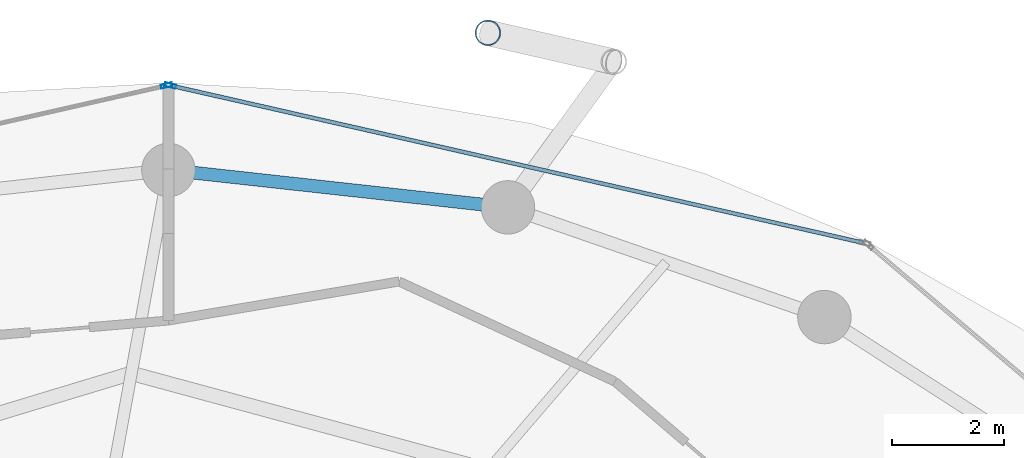
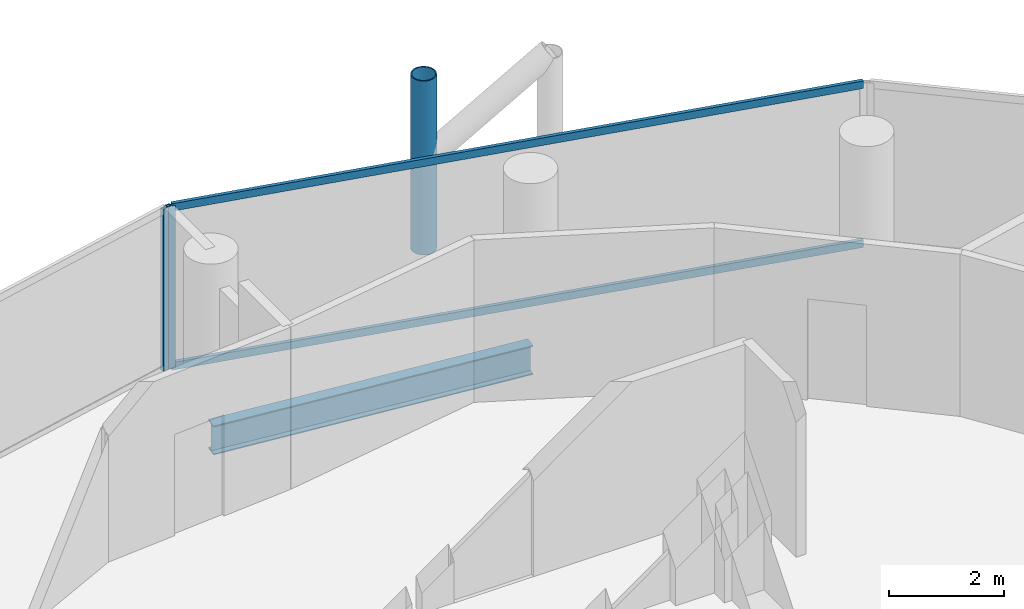
# One storey, part 17 of 26: 5 members, 1 beam, 2 elements without a shape of their own.
"""IFC4 building model written with IfcOpenShell, lengths in metres."""

import ifcopenshell
import ifcopenshell.guid

model = None  # the IFC model being written
_history = None  # IfcOwnerHistory: only IFC2X3 demands one
_inside = {}  # id of a spatial element -> (the spatial element, [elements in it])
_under = {}  # id of a project, library or spatial element -> (it, [spatial elements below it])
_declared = {}  # id of a project -> (the project, [libraries it declares])
_typed = {}  # id of a type object -> (the type object, [elements of that type])
_made_of = {}  # id of a material, layer set ... -> (it, [elements and type objects made of it])


def new_model(schema):
    """Start an empty IFC model of exactly this schema.

    Asked for "IFC4X3", IfcOpenShell would pick the latest addendum, in which some entities
    have other attributes; the version numbers below select the first issue.
    IFC2X3 requires an IfcOwnerHistory on every rooted entity: one is made here for all.
    """
    global model, _history
    if schema == "IFC4X3":
        model = ifcopenshell.file(schema_version=(4, 3, 0, 0))
    else:
        model = ifcopenshell.file(schema=schema)
    _inside.clear()
    _under.clear()
    _declared.clear()
    _typed.clear()
    _made_of.clear()
    _history = None
    if model.schema == "IFC2X3":
        org = make("IfcOrganization", Name="unknown")
        user = make(
            "IfcPersonAndOrganization",
            ThePerson=make("IfcPerson", FamilyName="unknown"),
            TheOrganization=org,
        )
        app = make(
            "IfcApplication",
            ApplicationDeveloper=org,
            Version="unknown",
            ApplicationFullName="unknown",
            ApplicationIdentifier="unknown",
        )
        _history = make(
            "IfcOwnerHistory",
            OwningUser=user,
            OwningApplication=app,
            ChangeAction="ADDED",
            CreationDate=0,
        )
    return model


def make(cls, **values):
    """One entity of the class cls with the attributes given. An attribute that is None is left unset."""
    return model.create_entity(
        cls, **{name: value for name, value in values.items() if value is not None}
    )


def rooted(cls, **values):
    """An entity with a GlobalId (a new one), such as an element, a storey or a relation."""
    return make(cls, GlobalId=ifcopenshell.guid.new(), OwnerHistory=_history, **values)


def si_unit(unit_type, name, prefix=None):
    """IfcSIUnit, for example si_unit("LENGTHUNIT", "METRE", prefix="MILLI")."""
    return make("IfcSIUnit", UnitType=unit_type, Prefix=prefix, Name=name)


def assignment(units):
    """IfcUnitAssignment: the units of a project."""
    return None if units is None else make("IfcUnitAssignment", Units=units)


def point(xyz):
    """IfcCartesianPoint."""
    return None if xyz is None else make("IfcCartesianPoint", Coordinates=xyz)


def direction(xyz):
    """IfcDirection."""
    return None if xyz is None else make("IfcDirection", DirectionRatios=xyz)


def frame(location, z_axis=None, x_axis=None):
    """IfcAxis2Placement3D, a coordinate frame: its origin and axes. An axis left out is left unset."""
    return make(
        "IfcAxis2Placement3D",
        Location=point(location),
        Axis=direction(z_axis),
        RefDirection=direction(x_axis),
    )


def frame_2d(location, x_axis=None):
    """IfcAxis2Placement2D, a coordinate frame in the plane: its origin and x axis."""
    return make(
        "IfcAxis2Placement2D", Location=point(location), RefDirection=direction(x_axis)
    )


def origin():
    """The frame at (0, 0, 0) with its axes left unset."""
    return frame((0.0, 0.0, 0.0))


def origin_2d():
    """The frame at (0, 0) in the plane with its x axis left unset."""
    return frame_2d((0.0, 0.0))


def place(relative_to, where):
    """IfcLocalPlacement: puts the frame where relative to a parent placement (None: the world)."""
    return make(
        "IfcLocalPlacement", PlacementRelTo=relative_to, RelativePlacement=where
    )


def context(
    kind, dimensions, precision=None, world=None, true_north=None, identifier=None
):
    """IfcGeometricRepresentationContext, for example the 3D "Model" context."""
    return make(
        "IfcGeometricRepresentationContext",
        ContextIdentifier=identifier,
        ContextType=kind,
        CoordinateSpaceDimension=dimensions,
        Precision=precision,
        WorldCoordinateSystem=world,
        TrueNorth=true_north,
    )


def subcontext(parent, identifier, kind, view, scale=None):
    """IfcGeometricRepresentationSubContext, for example "Body" below "Model"."""
    return make(
        "IfcGeometricRepresentationSubContext",
        ContextIdentifier=identifier,
        ContextType=kind,
        ParentContext=parent,
        TargetScale=scale,
        TargetView=view,
    )


def project(units=None, contexts=None):
    """IfcProject with its units and contexts."""
    return rooted(
        "IfcProject",
        Name="project",
        RepresentationContexts=contexts,
        UnitsInContext=assignment(units),
    )


def spatial(cls, under=None, at=None, **own):
    """A site, building, storey or space (cls), placed at a placement, below another one or the project."""
    s = rooted(cls, ObjectPlacement=at, **own)
    if under is not None:
        _under.setdefault(under.id(), (under, []))[1].append(s)
    return s


def profile(cls, at=None, kind="AREA", **sizes):
    """A parametric profile (cls). Its sizes go by their IFC names, for example OverallWidth=200.0."""
    return make(cls, ProfileType=kind, Position=at, **sizes)


def hollow_rectangle(**sizes):
    """IfcRectangleHollowProfileDef."""
    return profile("IfcRectangleHollowProfileDef", **sizes)


def hollow_circle(**sizes):
    """IfcCircleHollowProfileDef."""
    return profile("IfcCircleHollowProfileDef", **sizes)


def i_section(**sizes):
    """IfcIShapeProfileDef."""
    return profile("IfcIShapeProfileDef", **sizes)


def extrude(swept, where, along, depth):
    """IfcExtrudedAreaSolid: the profile swept, set in the frame where, extruded along a direction by depth."""
    return make(
        "IfcExtrudedAreaSolid",
        SweptArea=swept,
        Position=where,
        ExtrudedDirection=direction(along),
        Depth=depth,
    )


def shape(context_of_items, identifier, shape_type, items):
    """IfcShapeRepresentation: the items that make up one representation, for example the "Body"."""
    return make(
        "IfcShapeRepresentation",
        ContextOfItems=context_of_items,
        RepresentationIdentifier=identifier,
        RepresentationType=shape_type,
        Items=items,
    )


def material(Name=None, Category=None):
    """IfcMaterial."""
    return make("IfcMaterial", Name=Name, Category=Category)


def layer(
    of_material, thickness, ventilated=None, Name=None, Category=None, Priority=None
):
    """IfcMaterialLayer: one layer of a wall or slab, of a material (None: an air gap)."""
    return make(
        "IfcMaterialLayer",
        Material=of_material,
        LayerThickness=thickness,
        IsVentilated=ventilated,
        Name=Name,
        Category=Category,
        Priority=Priority,
    )


def layer_set(layers, Name=None):
    """IfcMaterialLayerSet."""
    return make("IfcMaterialLayerSet", MaterialLayers=layers, LayerSetName=Name)


def material_profile(
    of_material, cross_section, Name=None, Category=None, Priority=None
):
    """IfcMaterialProfile: a cross section and its material."""
    return make(
        "IfcMaterialProfile",
        Name=Name,
        Material=of_material,
        Profile=cross_section,
        Priority=Priority,
        Category=Category,
    )


def profile_set(profiles, Name=None, composite=None):
    """IfcMaterialProfileSet."""
    return make(
        "IfcMaterialProfileSet",
        Name=Name,
        MaterialProfiles=profiles,
        CompositeProfile=composite,
    )


def made_of(thing, what):
    """Note that an element or type object is made of a material, layer set ...; save() writes the relation."""
    if what is not None:
        _made_of.setdefault(what.id(), (what, []))[1].append(thing)
    return thing


def type_object(cls, material=None, **own):
    """A type object (cls), such as IfcWallType, which elements share."""
    return made_of(rooted(cls, **own), material)


def element(
    cls,
    number,
    at=None,
    inside=None,
    cuts=None,
    type_object=None,
    material=None,
    context=None,
    identifier="Body",
    shape_type=None,
    held_by="IfcProductDefinitionShape",
    body=None,
    shapes=None,
    **own,
):
    """One element of the class cls, such as IfcWall. Its Tag is "e" and its number.

    at: its placement. inside: the storey or other place that contains it. cuts: it is an
    opening in that element (IfcRelVoidsElement). A single representation is given by context,
    identifier, shape_type and body (its items); several are given by shapes. held_by: the class
    of the entity that holds the representations. save() writes the other relations.
    """
    e = rooted(cls, Tag="e%d" % number, ObjectPlacement=at, **own)
    if body is not None:
        shapes = [shape(context, identifier, shape_type, body)]
    if shapes is not None:
        e.Representation = make(held_by, Representations=shapes)
    if inside is not None:
        _inside.setdefault(inside.id(), (inside, []))[1].append(e)
    if cuts is not None:
        rooted(
            "IfcRelVoidsElement", RelatingBuildingElement=cuts, RelatedOpeningElement=e
        )
    if type_object is not None:
        _typed.setdefault(type_object.id(), (type_object, []))[1].append(e)
    return made_of(e, material)


def aggregate(whole, parts):
    """IfcRelAggregates: a whole, such as a stair, and the parts it consists of."""
    return rooted("IfcRelAggregates", RelatingObject=whole, RelatedObjects=parts)


def save(model, path):
    """Write the relations noted so far, then the file.

    IfcRelAggregates (storeys below a building ...), IfcRelContainedInSpatialStructure (elements
    in a storey), IfcRelDefinesByType, IfcRelAssociatesMaterial and IfcRelDeclares: one each for
    every whole, place, type object, material and project.
    """
    for whole, parts in _under.values():
        aggregate(whole, parts)
    for where, things in _inside.values():
        rooted(
            "IfcRelContainedInSpatialStructure",
            RelatedElements=things,
            RelatingStructure=where,
        )
    for kind, things in _typed.values():
        rooted("IfcRelDefinesByType", RelatedObjects=things, RelatingType=kind)
    for what, things in _made_of.values():
        rooted("IfcRelAssociatesMaterial", RelatedObjects=things, RelatingMaterial=what)
    for by, libraries in _declared.values():
        rooted("IfcRelDeclares", RelatingContext=by, RelatedDefinitions=libraries)
    model.write(path)


model = new_model("IFC4")

# Units and contexts
model_context = context("Model", 3, precision=1e-05, world=origin(), true_north=direction((0.0, 1.0)))
body_context = subcontext(model_context, "Body", "Model", "MODEL_VIEW")
ifc_project = project(units=[si_unit("LENGTHUNIT", "METRE"), si_unit("AREAUNIT", "SQUARE_METRE"), si_unit("VOLUMEUNIT", "CUBIC_METRE"), si_unit("PLANEANGLEUNIT", "RADIAN"), si_unit("MASSUNIT", "GRAM", prefix="KILO")], contexts=[model_context])

# Site, building, storey
site_placement = place(None, origin())
site = spatial("IfcSite", under=ifc_project, at=site_placement, CompositionType="ELEMENT")
building_placement = place(site_placement, origin())
building = spatial("IfcBuilding", under=site, at=building_placement, Name="Nuhasar Tower", CompositionType="ELEMENT")
storey_placement = place(building_placement, frame((0.0, 0.0, 173.75)))
storey = spatial("IfcBuildingStorey", under=building, at=storey_placement, Name="L42", CompositionType="ELEMENT", Elevation=173.75)

# Beam
ifc_material_1 = material(Name="Steel S355", Category="steel")
ifc_material_profile_1 = material_profile(ifc_material_1, i_section(OverallWidth=0.22998046875, OverallDepth=0.616943359375, WebThickness=0.01318359375, FlangeThickness=0.022216796875, at=origin_2d()), Name="W24X94")
ifc_profile_set_1 = profile_set([ifc_material_profile_1], Name="Steel S355")
beam_type = type_object("IfcBeamType", Name="BM-RING-W24X94", PredefinedType="SPANDREL", material=ifc_profile_set_1)
beam_placement = place(storey_placement, frame((45.04296875, 45.68408203125, -0.55908203125), z_axis=(-0.993981289157, 0.109549974015, 0.0), x_axis=(-0.109549974015, -0.993981289157, 0.0)))
element("IfcBeam", 1, at=beam_placement, inside=storey, type_object=beam_type, Name="L42 Perimeter Ring Spandrel 06", PredefinedType="SPANDREL", context=body_context, shape_type="SweptSolid", body=[
    extrude(i_section(OverallWidth=0.22998046875, OverallDepth=0.616943359375, WebThickness=0.01318359375, FlangeThickness=0.022216796875, at=origin_2d()), origin(), (0.0, 0.0, 1.0), 6.07958984375),
])

# Curtain wall, member
ifc_material_2 = material(Name="Aluminium 6063-T6", Category="aluminium")
ifc_layer = layer(ifc_material_2, 0.199951171875)
ifc_layer_set = layer_set([ifc_layer], Name="Aluminium 6063-T6")
curtain_wall_type = type_object("IfcCurtainWallType", Name="CW-Z2-HTL", PredefinedType="NOTDEFINED", material=ifc_layer_set)
curtain_wall_1_placement = place(storey_placement, origin())
curtain_wall_1 = element("IfcCurtainWall", 2, at=curtain_wall_1_placement, inside=storey, type_object=curtain_wall_type, Name="L42 Unitised Curtain Wall 03", PredefinedType="NOTDEFINED")
ifc_material_profile_2 = material_profile(ifc_material_2, hollow_rectangle(XDim=0.070068359375, YDim=0.199951171875, WallThickness=0.0048828125, at=origin_2d()), Name="CWM-3")
ifc_profile_set_2 = profile_set([ifc_material_profile_2], Name="Aluminium 6063-T6")
member_type_1 = type_object("IfcMemberType", Name="CW-MUL-S3", PredefinedType="MULLION", material=ifc_profile_set_2)
member_1_placement = place(storey_placement, frame((39.0341796875, 47.852294921875, 0.0), z_axis=(0.0, 0.0, 1.0), x_axis=(-0.22139729566, -0.975183694221, 0.0)))
member_1 = element("IfcMember", 3, at=member_1_placement, type_object=member_type_1, Name="CW-Z2 mullion 2", PredefinedType="MULLION", context=body_context, shape_type="SweptSolid", body=[
    extrude(hollow_rectangle(XDim=0.070068359375, YDim=0.199951171875, WallThickness=0.0048828125, at=origin_2d()), origin(), (0.0, 0.0, 1.0), 3.449951171875),
])

curtain_wall_2_placement = place(storey_placement, origin())
curtain_wall_2 = element("IfcCurtainWall", 4, at=curtain_wall_2_placement, inside=storey, type_object=curtain_wall_type, Name="L42 Unitised Curtain Wall 04", PredefinedType="NOTDEFINED")
member_2_placement = place(storey_placement, frame((38.9658203125, 47.852294921875, 0.0), z_axis=(0.0, 0.0, 1.0), x_axis=(0.22139729566, -0.975183694221, 0.0)))
member_2 = element("IfcMember", 5, at=member_2_placement, type_object=member_type_1, Name="CW-Z2 mullion 1", PredefinedType="MULLION", context=body_context, shape_type="SweptSolid", body=[
    extrude(hollow_rectangle(XDim=0.070068359375, YDim=0.199951171875, WallThickness=0.0048828125, at=origin_2d()), origin(), (0.0, 0.0, 1.0), 3.449951171875),
])
aggregate(curtain_wall_2, [member_2])

# Member
ifc_material_profile_3 = material_profile(ifc_material_2, hollow_rectangle(XDim=0.070068359375, YDim=0.159912109375, WallThickness=0.00439453125, at=origin_2d()), Name="CWT-3")
ifc_profile_set_3 = profile_set([ifc_material_profile_3], Name="Aluminium 6063-T6")
member_type_2 = type_object("IfcMemberType", Name="CW-TRN-S3", PredefinedType="USERDEFINED", material=ifc_profile_set_3)
member_3_placement = place(storey_placement, frame((51.36181640625, 45.053466796875, 0.034912109375), z_axis=(-0.975183434528, 0.221398439519, 0.0), x_axis=(-0.221398439519, -0.975183434528, 0.0)))
member_3 = element("IfcMember", 6, at=member_3_placement, type_object=member_type_2, Name="CW-Z2 transom 1.1", ObjectType="TRANSOM", PredefinedType="USERDEFINED", context=body_context, shape_type="SweptSolid", body=[
    extrude(hollow_rectangle(XDim=0.070068359375, YDim=0.159912109375, WallThickness=0.00439453125, at=origin_2d()), origin(), (0.0, 0.0, 1.0), 12.606201171875),
])

member_4_placement = place(storey_placement, frame((51.36181640625, 45.053466796875, 3.4150390625), z_axis=(-0.975183434528, 0.221398439519, 0.0), x_axis=(-0.221398439519, -0.975183434528, 0.0)))
member_4 = element("IfcMember", 7, at=member_4_placement, type_object=member_type_2, Name="CW-Z2 transom 1.2", ObjectType="TRANSOM", PredefinedType="USERDEFINED", context=body_context, shape_type="SweptSolid", body=[
    extrude(hollow_rectangle(XDim=0.070068359375, YDim=0.159912109375, WallThickness=0.00439453125, at=origin_2d()), origin(), (0.0, 0.0, 1.0), 12.606201171875),
])

aggregate(curtain_wall_1, [member_1, member_3, member_4])

ifc_material_3 = material(Name="Steel S460", Category="steel")
ifc_material_profile_4 = material_profile(ifc_material_3, hollow_circle(Radius=0.228515625, WallThickness=0.022216796875, at=origin_2d()), Name="HSS457X22.2")
ifc_profile_set_4 = profile_set([ifc_material_profile_4], Name="Steel S460")
member_type_3 = type_object("IfcMemberType", Name="EXO-BRONZE-457", PredefinedType="BRACE", material=ifc_profile_set_4)
member_5_placement = place(storey_placement, frame((44.68603515625, 48.7900390625, 0.0), z_axis=(0.0, 0.0, 1.0), x_axis=(1.0, 0.0, 0.0)))
element("IfcMember", 8, at=member_5_placement, inside=storey, type_object=member_type_3, Name="L42 Exoskeleton Chord Column EC-03B", PredefinedType="BRACE", context=body_context, shape_type="SweptSolid", body=[
    extrude(hollow_circle(Radius=0.228515625, WallThickness=0.022216796875, at=origin_2d()), origin(), (0.0, 0.0, 1.0), 3.699951171875),
])

save(model, "model.ifc")
